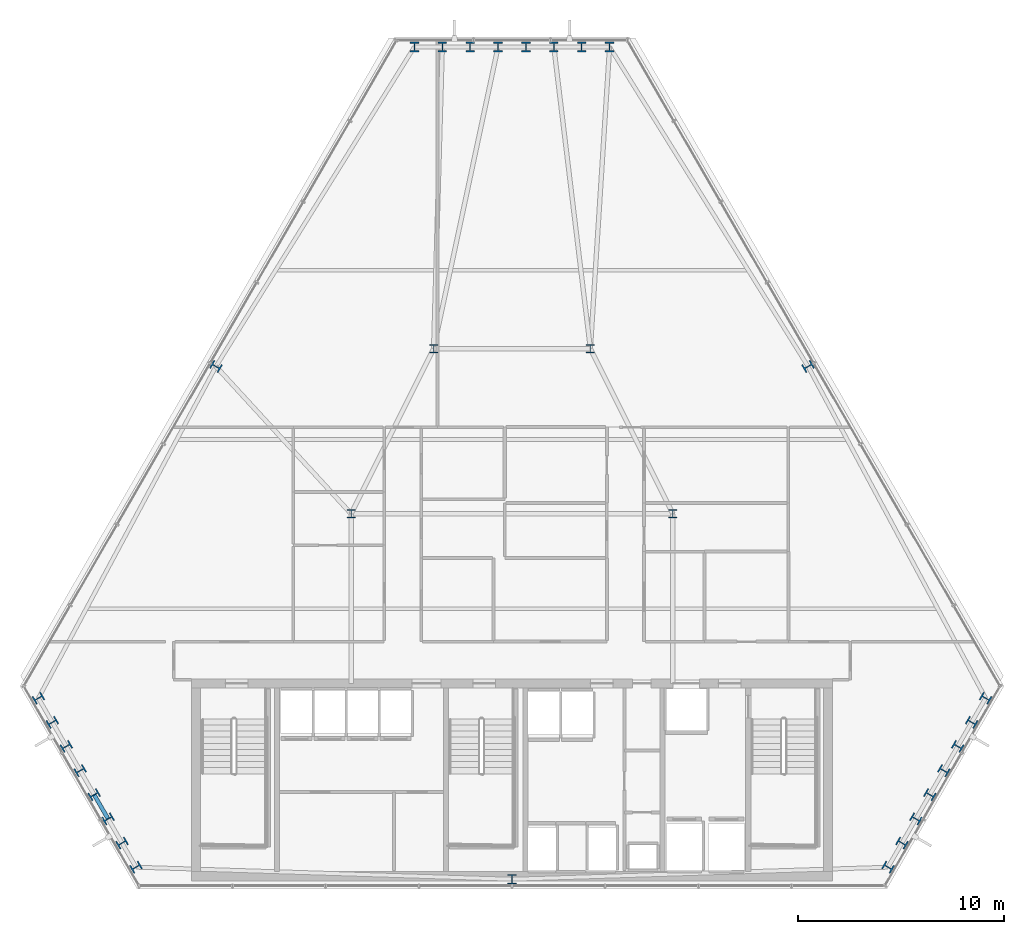
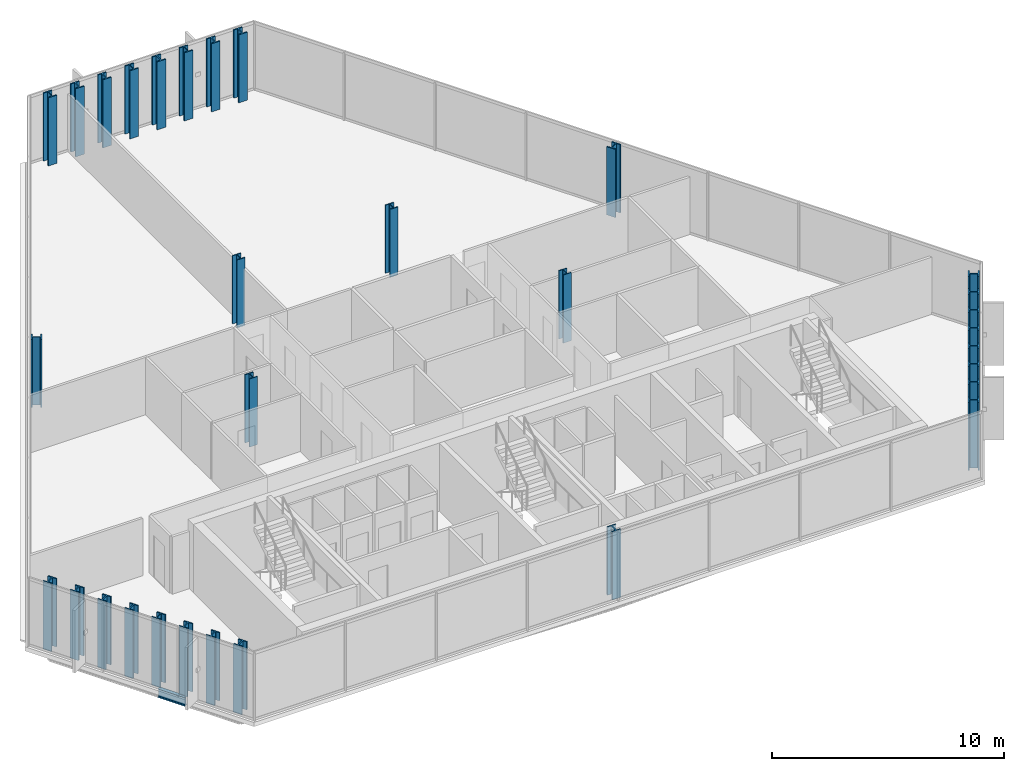
# One storey, part 1 of 33: 31 columns, 1 beam.
"""IFC4 building model written with IfcOpenShell, lengths in metres."""

from ifc_helpers import new_model, si_unit, direction, frame, origin, origin_2d, place, context, subcontext, project, spatial, i_section, extrude, material, material_profile, profile_set, type_object, element, save


model = new_model("IFC4")

# Units and contexts
model_context = context("Model", 3, precision=1e-05, world=origin(), true_north=direction((0.0, 1.0)))
body_context = subcontext(model_context, "Body", "Model", "MODEL_VIEW")
ifc_project = project(units=[si_unit("LENGTHUNIT", "METRE"), si_unit("AREAUNIT", "SQUARE_METRE"), si_unit("VOLUMEUNIT", "CUBIC_METRE"), si_unit("PLANEANGLEUNIT", "RADIAN"), si_unit("MASSUNIT", "GRAM", prefix="KILO")], contexts=[model_context])

# Site, building, storey
site_placement = place(None, origin())
site = spatial("IfcSite", under=ifc_project, at=site_placement, CompositionType="ELEMENT")
building_placement = place(site_placement, origin())
building = spatial("IfcBuilding", under=site, at=building_placement, Name="Ndaravel Arena Tower", CompositionType="ELEMENT")
storey_placement = place(building_placement, frame((0.0, 0.0, 149.800048828125)))
storey = spatial("IfcBuildingStorey", under=building, at=storey_placement, Name="L35", CompositionType="ELEMENT", Elevation=149.800048828125)

# Columns
ifc_material_1 = material(Name="Steel S355", Category="steel")
ifc_material_profile_1 = material_profile(ifc_material_1, i_section(OverallWidth=0.406982421875, OverallDepth=0.4189453125, WebThickness=0.030517578125, FlangeThickness=0.04931640625, FilletRadius=0.01513671875, at=origin_2d()), Name="UC 356x406x393")
ifc_profile_set_1 = profile_set([ifc_material_profile_1], Name="Steel S355")
column_type_1 = type_object("IfcColumnType", Name="COL-INT-UC393", PredefinedType="COLUMN", material=ifc_profile_set_1)
for number, where, z_axis, x_axis, name in (
    (1, (34.199951171875, 23.199951171875, 0.0), (0.0, 0.0, 1.0), (1.0, 0.0, 0.0), "L35 Interior Spine Column IC-01"),
    (2, (49.800048828125, 23.199951171875, 0.0), (0.0, 0.0, 1.0), (1.0, 0.0, 0.0), "L35 Interior Spine Column IC-02"),
    (3, (38.199951171875, 31.199951171875, 0.0), (0.0, 0.0, 1.0), (1.0, 0.0, 0.0), "L35 Interior Spine Column IC-03"),
    (4, (45.800048828125, 31.199951171875, 0.0), (0.0, 0.0, 1.0), (1.0, 0.0, 0.0), "L35 Interior Spine Column IC-04"),
):
    element("IfcColumn", number, at=place(storey_placement, frame(where, z_axis=z_axis, x_axis=x_axis)), inside=storey, type_object=column_type_1, Name=name, PredefinedType="COLUMN", context=body_context, shape_type="SweptSolid", body=[
        extrude(i_section(OverallWidth=0.406982421875, OverallDepth=0.4189453125, WebThickness=0.030517578125, FlangeThickness=0.04931640625, FilletRadius=0.01513671875, at=origin_2d()), origin(), (0.0, 0.0, 1.0), 3.579833984375),
    ])
ifc_material_2 = material(Name="Steel S355", Category="steel")
ifc_material_profile_2 = material_profile(ifc_material_2, i_section(OverallWidth=0.427978515625, OverallDepth=0.48095703125, WebThickness=0.051025390625, FlangeThickness=0.06494140625, FilletRadius=0.014892578125, at=origin_2d()), Name="HD 400x677")
ifc_profile_set_2 = profile_set([ifc_material_profile_2], Name="Steel S355")
column_type_2 = type_object("IfcColumnType", Name="COL-TUBE-HD677", PredefinedType="COLUMN", material=ifc_profile_set_2)
for number, where, z_axis, x_axis, name in (
    (5, (42.0, 5.47998046875, 0.0), (0.0, 0.0, 1.0), (1.0, 0.0, 0.0), "L35 Framed Tube Column TC-01"),
    (6, (60.22900390625, 6.065185546875, 0.0), (0.0, 0.0, 1.0), (0.5, 0.866025403784, 0.0), "L35 Framed Tube Column TC-02"),
    (7, (60.90478515625, 7.236083984375, 0.0), (0.0, 0.0, 1.0), (0.5, 0.866025403784, 0.0), "L35 Framed Tube Column TC-03"),
    (8, (61.580810546875, 8.40673828125, 0.0), (0.0, 0.0, 1.0), (0.5, 0.866025403784, 0.0), "L35 Framed Tube Column TC-04"),
    (9, (62.256591796875, 9.577392578125, 0.0), (0.0, 0.0, 1.0), (0.5, 0.866025403784, 0.0), "L35 Framed Tube Column TC-05"),
    (10, (62.9326171875, 10.748046875, 0.0), (0.0, 0.0, 1.0), (0.5, 0.866025403784, 0.0), "L35 Framed Tube Column TC-06"),
    (11, (63.6083984375, 11.918701171875, 0.0), (0.0, 0.0, 1.0), (0.5, 0.866025403784, 0.0), "L35 Framed Tube Column TC-07"),
    (12, (64.284423828125, 13.08935546875, 0.0), (0.0, 0.0, 1.0), (0.5, 0.866025403784, 0.0), "L35 Framed Tube Column TC-08"),
    (13, (64.960205078125, 14.260009765625, 0.0), (0.0, 0.0, 1.0), (0.5, 0.866025403784, 0.0), "L35 Framed Tube Column TC-09"),
    (14, (56.352783203125, 30.339599609375, 0.0), (0.0, 0.0, 1.0), (-0.5, 0.866025403784, 0.0), "L35 Framed Tube Column TC-10"),
    (15, (46.731201171875, 45.833740234375, 0.0), (0.0, 0.0, 1.0), (1.0, 0.0, 0.0), "L35 Framed Tube Column TC-11"),
    (16, (45.37939453125, 45.833740234375, 0.0), (0.0, 0.0, 1.0), (1.0, 0.0, 0.0), "L35 Framed Tube Column TC-12"),
    (17, (44.027587890625, 45.833740234375, 0.0), (0.0, 0.0, 1.0), (1.0, 0.0, 0.0), "L35 Framed Tube Column TC-13"),
    (18, (42.67578125, 45.833740234375, 0.0), (0.0, 0.0, 1.0), (1.0, 0.0, 0.0), "L35 Framed Tube Column TC-14"),
    (19, (41.32421875, 45.833740234375, 0.0), (0.0, 0.0, 1.0), (1.0, 0.0, 0.0), "L35 Framed Tube Column TC-15"),
    (20, (39.972412109375, 45.833740234375, 0.0), (0.0, 0.0, 1.0), (1.0, 0.0, 0.0), "L35 Framed Tube Column TC-16"),
    (21, (38.62060546875, 45.833740234375, 0.0), (0.0, 0.0, 1.0), (1.0, 0.0, 0.0), "L35 Framed Tube Column TC-17"),
    (22, (37.268798828125, 45.833740234375, 0.0), (0.0, 0.0, 1.0), (1.0, 0.0, 0.0), "L35 Framed Tube Column TC-18"),
    (23, (27.647216796875, 30.339599609375, 0.0), (0.0, 0.0, 1.0), (0.5, 0.866025403784, 0.0), "L35 Framed Tube Column TC-19"),
    (24, (19.039794921875, 14.260009765625, 0.0), (0.0, 0.0, 1.0), (-0.5, 0.866025403784, 0.0), "L35 Framed Tube Column TC-20"),
    (25, (19.715576171875, 13.08935546875, 0.0), (0.0, 0.0, 1.0), (-0.5, 0.866025403784, 0.0), "L35 Framed Tube Column TC-21"),
    (26, (20.3916015625, 11.918701171875, 0.0), (0.0, 0.0, 1.0), (-0.5, 0.866025403784, 0.0), "L35 Framed Tube Column TC-22"),
    (27, (21.0673828125, 10.748046875, 0.0), (0.0, 0.0, 1.0), (-0.5, 0.866025403784, 0.0), "L35 Framed Tube Column TC-23"),
    (28, (21.743408203125, 9.577392578125, 0.0), (0.0, 0.0, 1.0), (-0.5, 0.866025403784, 0.0), "L35 Framed Tube Column TC-24"),
    (29, (22.419189453125, 8.40673828125, 0.0), (0.0, 0.0, 1.0), (-0.5, 0.866025403784, 0.0), "L35 Framed Tube Column TC-25"),
    (30, (23.09521484375, 7.236083984375, 0.0), (0.0, 0.0, 1.0), (-0.5, 0.866025403784, 0.0), "L35 Framed Tube Column TC-26"),
    (31, (23.77099609375, 6.065185546875, 0.0), (0.0, 0.0, 1.0), (-0.5, 0.866025403784, 0.0), "L35 Framed Tube Column TC-27"),
):
    element("IfcColumn", number, at=place(storey_placement, frame(where, z_axis=z_axis, x_axis=x_axis)), inside=storey, type_object=column_type_2, Name=name, PredefinedType="COLUMN", context=body_context, shape_type="SweptSolid", body=[
        extrude(i_section(OverallWidth=0.427978515625, OverallDepth=0.48095703125, WebThickness=0.051025390625, FlangeThickness=0.06494140625, FilletRadius=0.014892578125, at=origin_2d()), origin(), (0.0, 0.0, 1.0), 3.579833984375),
    ])

# Beam
ifc_material_3 = material(Name="Steel S355", Category="steel")
ifc_material_profile_3 = material_profile(ifc_material_3, i_section(OverallWidth=0.18994140625, OverallDepth=0.449951171875, WebThickness=0.009521484375, FlangeThickness=0.0146484375, FilletRadius=0.02099609375, at=origin_2d()), Name="IPE 450")
ifc_profile_set_3 = profile_set([ifc_material_profile_3], Name="Steel S355")
beam_type = type_object("IfcBeamType", Name="BM-SPAN-IPE450", PredefinedType="SPANDREL", material=ifc_profile_set_3)
beam_placement = place(storey_placement, frame((21.743408203125, 9.577392578125, -0.445068359375), z_axis=(0.49994655361, -0.866056258873, 0.0), x_axis=(0.866056258873, 0.49994655361, 0.0)))
element("IfcBeam", 32, at=beam_placement, inside=storey, type_object=beam_type, Name="L35 Perimeter Spandrel Beam SP-24", PredefinedType="SPANDREL", context=body_context, shape_type="SweptSolid", body=[
    extrude(i_section(OverallWidth=0.18994140625, OverallDepth=0.449951171875, WebThickness=0.009521484375, FlangeThickness=0.0146484375, FilletRadius=0.02099609375, at=origin_2d()), origin(), (0.0, 0.0, 1.0), 1.351806640625),
])

save(model, "model.ifc")
